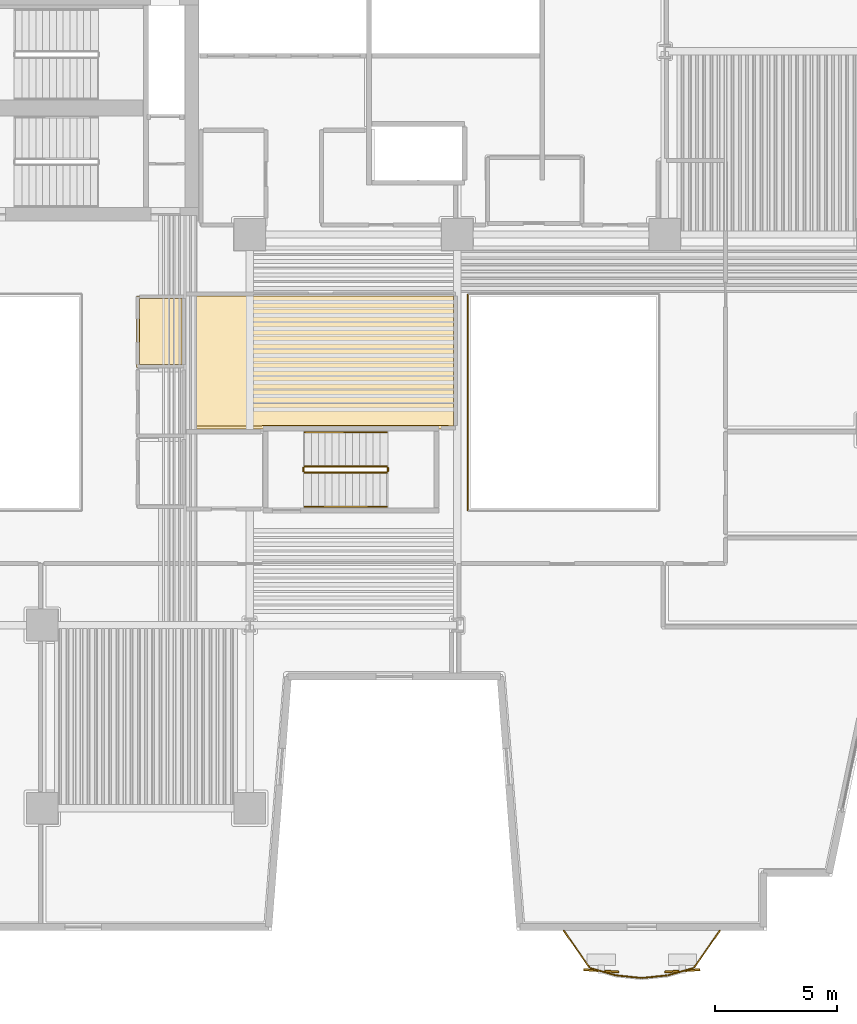
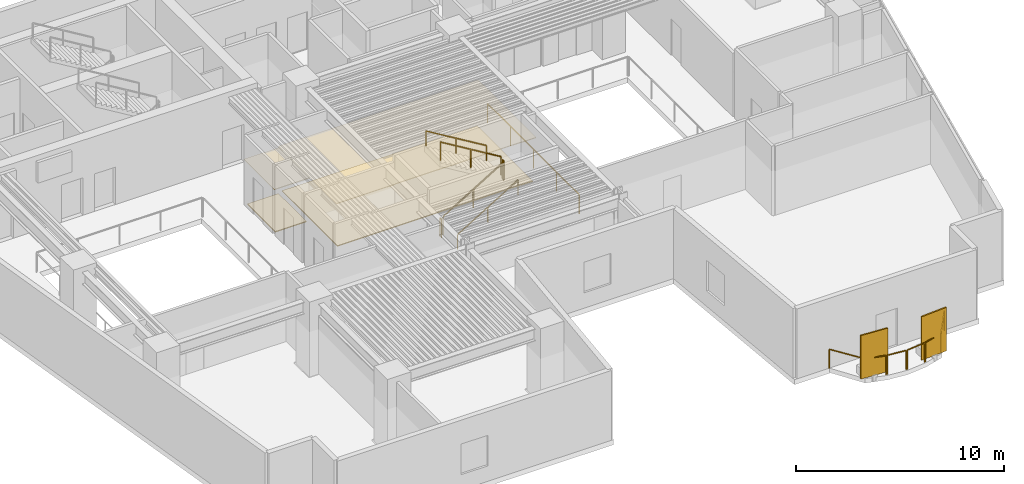
# One storey, part 9 of 12: 13 railings, 4 coverings, 2 shading devices.
"""IFC4 building model written with IfcOpenShell, lengths in metres."""

from ifc_helpers import new_model, si_unit, direction, frame, origin, origin_2d, place, context, subcontext, project, spatial, polyline, rectangle, outline, extrude, material, layer, layer_set, type_object, element, save


model = new_model("IFC4")

# Units and contexts
model_context = context("Model", 3, precision=1e-05, world=origin(), true_north=direction((0.0, 1.0)))
body_context = subcontext(model_context, "Body", "Model", "MODEL_VIEW")
ifc_project = project(units=[si_unit("LENGTHUNIT", "METRE"), si_unit("AREAUNIT", "SQUARE_METRE"), si_unit("VOLUMEUNIT", "CUBIC_METRE"), si_unit("PLANEANGLEUNIT", "RADIAN"), si_unit("MASSUNIT", "GRAM", prefix="KILO")], contexts=[model_context])

# Site, building, storey
site_placement = place(None, origin())
site = spatial("IfcSite", under=ifc_project, at=site_placement, CompositionType="ELEMENT")
building_placement = place(site_placement, origin())
building = spatial("IfcBuilding", under=site, at=building_placement, Name="Caeloran Harvest Quay", CompositionType="ELEMENT")
storey_placement = place(building_placement, frame((0.0, 0.0, 35.800048828125)))
storey = spatial("IfcBuildingStorey", under=building, at=storey_placement, Name="L08", CompositionType="ELEMENT", Elevation=35.800048828125)

# Coverings
ifc_material_1 = material(Name="Perforated Mineral-Fibre Acoustic Ceiling Tile", Category="ceiling")
ifc_layer_1 = layer(ifc_material_1, 0.0400390625, Name="Perforated Mineral-Fibre Acoustic Ceiling Tile")
ifc_layer_set_1 = layer_set([ifc_layer_1], Name="Perforated Mineral-Fibre Acoustic Ceiling Tile")
covering_type_1 = type_object("IfcCoveringType", Name="COV-CEILING-ACOUSTIC", PredefinedType="CEILING", material=ifc_layer_set_1)
covering_1_placement = place(storey_placement, frame((0.0, 0.0, 2.599853515625)))
element("IfcCovering", 1, at=covering_1_placement, inside=storey, type_object=covering_type_1, Name="L08 Male Washroom WC Acoustic Ceiling", PredefinedType="CEILING", context=body_context, shape_type="SweptSolid", body=[
    extrude(outline(polyline([(22.840087890625, 25.56005859375), (20.8701171875, 25.56005859375), (20.8701171875, 28.489990234375), (22.840087890625, 28.489990234375), (22.840087890625, 25.56005859375)])), origin(), (0.0, 0.0, 1.0), 0.0400390625),
])
covering_2_placement = place(storey_placement, frame((0.0, 0.0, 2.599853515625)))
element("IfcCovering", 2, at=covering_2_placement, inside=storey, type_object=covering_type_1, Name="Staff Tea Lounge Acoustic Ceiling", PredefinedType="CEILING", context=body_context, shape_type="SweptSolid", body=[
    extrude(outline(polyline([(22.8701171875, 28.512939453125), (22.85009765625, 28.52001953125), (22.85009765625, 28.610107421875), (33.9599609375, 28.610107421875), (33.9599609375, 23.0400390625), (33.170166015625, 23.0400390625), (33.162841796875, 23.06005859375), (26.13720703125, 23.06005859375), (26.1298828125, 23.0400390625), (22.8701171875, 23.0400390625), (22.8701171875, 28.512939453125)])), origin(), (0.0, 0.0, 1.0), 0.0400390625),
])
ifc_material_2 = material(Name="Calcium-Sulphate Raised Access Floor and Terrazzo Finish", Category="flooring")
ifc_layer_2 = layer(ifc_material_2, 0.050048828125, Name="Calcium-Sulphate Raised Access Floor and Terrazzo Finish")
ifc_layer_set_2 = layer_set([ifc_layer_2], Name="Calcium-Sulphate Raised Access Floor and Terrazzo Finish")
covering_type_2 = type_object("IfcCoveringType", Name="COV-FLOOR-RAISED", PredefinedType="FLOORING", material=ifc_layer_set_2)
covering_3_placement = place(storey_placement, origin())
element("IfcCovering", 3, at=covering_3_placement, inside=storey, type_object=covering_type_2, Name="L08 Male Washroom WC Raised Finish Flooring", PredefinedType="FLOORING", context=body_context, shape_type="SweptSolid", body=[
    extrude(outline(polyline([(22.719970703125, 25.679931640625), (20.989990234375, 25.679931640625), (20.989990234375, 28.3701171875), (22.719970703125, 28.3701171875), (22.719970703125, 25.679931640625)])), origin(), (0.0, 0.0, 1.0), 0.050048828125),
])
covering_4_placement = place(storey_placement, origin())
element("IfcCovering", 4, at=covering_4_placement, inside=storey, type_object=covering_type_2, Name="Staff Tea Lounge Raised Finish Flooring", PredefinedType="FLOORING", context=body_context, shape_type="SweptSolid", body=[
    extrude(outline(polyline([(22.989990234375, 28.489990234375), (33.840087890625, 28.489990234375), (33.840087890625, 23.159912109375), (33.169921875, 23.179931640625), (22.989990234375, 23.159912109375), (22.989990234375, 28.489990234375)])), origin(), (0.0, 0.0, 1.0), 0.050048828125),
])

# Railings
ifc_material_3 = material(Name="Powder-Coated Steel Post and Laminated Glass Guardrail", Category="steel")
ifc_layer_3 = layer(ifc_material_3, 0.06005859375, Name="Powder-Coated Steel Post and Laminated Glass Guardrail")
ifc_layer_set_3 = layer_set([ifc_layer_3], Name="Powder-Coated Steel Post and Laminated Glass Guardrail")
railing_type_1 = type_object("IfcRailingType", Name="GUARD-ATRIUM-1150", PredefinedType="GUARDRAIL", material=ifc_layer_set_3)
railing_1_placement = place(storey_placement, frame((34.429931640625, 28.5380859375, 0.0)))
element("IfcRailing", 5, at=railing_1_placement, inside=storey, type_object=railing_type_1, Name="L08 East Botanical Lightwell Guardrail Seg 4", PredefinedType="GUARDRAIL", context=body_context, shape_type="SweptSolid", body=[
    extrude(rectangle(XDim=0.048095703125, YDim=0.048095703125, at=origin_2d()), frame((0.0, 0.0, 1.1259765625), z_axis=(0.0, -1.0, 0.0), x_axis=(1.0, 0.0, 0.0)), (0.0, 0.0, 1.0), 8.826171875),
    extrude(rectangle(XDim=0.0419921875, YDim=0.0419921875, at=origin_2d()), origin(), (0.0, 0.0, 1.0), 1.101806640625),
    extrude(rectangle(XDim=0.0419921875, YDim=0.0419921875, at=origin_2d()), frame((0.0, -2.20654296875, 0.0)), (0.0, 0.0, 1.0), 1.101806640625),
    extrude(rectangle(XDim=0.0419921875, YDim=0.0419921875, at=origin_2d()), frame((0.0, -4.4130859375, 0.0)), (0.0, 0.0, 1.0), 1.101806640625),
    extrude(rectangle(XDim=0.0419921875, YDim=0.0419921875, at=origin_2d()), frame((0.0, -6.61962890625, 0.0)), (0.0, 0.0, 1.0), 1.101806640625),
    extrude(rectangle(XDim=0.0419921875, YDim=0.0419921875, at=origin_2d()), frame((0.0, -8.826171875, 0.0)), (0.0, 0.0, 1.0), 1.101806640625),
])
ifc_material_4 = material(Name="Laminated Safety Glass and Stainless Steel 316", Category="steel")
ifc_layer_4 = layer(ifc_material_4, 0.06005859375, Name="Laminated Safety Glass and Stainless Steel 316")
ifc_layer_set_4 = layer_set([ifc_layer_4], Name="Laminated Safety Glass and Stainless Steel 316")
railing_type_2 = type_object("IfcRailingType", Name="GUARD-BALUSTRADE-1150", PredefinedType="BALUSTRADE", material=ifc_layer_set_4)
railing_2_placement = place(storey_placement, frame((44.7509765625, 2.47998046875, 0.0)))
element("IfcRailing", 6, at=railing_2_placement, inside=storey, type_object=railing_type_2, Name="L08 Planted Balcony Perimeter Balustrade Guard Seg 1", PredefinedType="BALUSTRADE", context=body_context, shape_type="SweptSolid", body=[
    extrude(rectangle(XDim=0.048095703125, YDim=0.048095703125, at=origin_2d()), frame((0.0, 0.0, 1.1259765625), z_axis=(-0.572708438792, -0.819759137879, 0.0), x_axis=(0.819759137879, -0.572708438792, 0.0)), (0.0, 0.0, 1.0), 1.826171875),
    extrude(rectangle(XDim=0.0419921875, YDim=0.0419921875, at=origin_2d()), origin(), (0.0, 0.0, 1.0), 1.101806640625),
    extrude(rectangle(XDim=0.0419921875, YDim=0.0419921875, at=origin_2d()), frame((-1.0458984375, -1.4970703125, 0.0)), (0.0, 0.0, 1.0), 1.101806640625),
])
railing_3_placement = place(storey_placement, frame((43.656005859375, 0.94775390625, 0.0)))
element("IfcRailing", 7, at=railing_3_placement, inside=storey, type_object=railing_type_2, Name="L08 Planted Balcony Perimeter Balustrade Guard Seg 2", PredefinedType="BALUSTRADE", context=body_context, shape_type="SweptSolid", body=[
    extrude(rectangle(XDim=0.048095703125, YDim=0.048095703125, at=origin_2d()), frame((0.0, 0.0, 1.1259765625), z_axis=(-0.961903159645, -0.273390401195, 0.0), x_axis=(0.273390401195, -0.961903159645, 0.0)), (0.0, 0.0, 1.0), 1.042236328125),
    extrude(rectangle(XDim=0.0419921875, YDim=0.0419921875, at=origin_2d()), origin(), (0.0, 0.0, 1.0), 1.101806640625),
    extrude(rectangle(XDim=0.0419921875, YDim=0.0419921875, at=origin_2d()), frame((-1.00244140625, -0.284912109375, 0.0)), (0.0, 0.0, 1.0), 1.101806640625),
])
railing_4_placement = place(storey_placement, frame((42.5908203125, 0.650634765625, 0.0)))
element("IfcRailing", 8, at=railing_4_placement, inside=storey, type_object=railing_type_2, Name="L08 Planted Balcony Perimeter Balustrade Guard Seg 3", PredefinedType="BALUSTRADE", context=body_context, shape_type="SweptSolid", body=[
    extrude(rectangle(XDim=0.048095703125, YDim=0.048095703125, at=origin_2d()), frame((0.0, 0.0, 1.1259765625), z_axis=(-0.994615282107, -0.103636096989, 0.0), x_axis=(0.103636096989, -0.994615282107, 0.0)), (0.0, 0.0, 1.0), 1.005859375),
    extrude(rectangle(XDim=0.0419921875, YDim=0.0419921875, at=origin_2d()), origin(), (0.0, 0.0, 1.0), 1.101806640625),
    extrude(rectangle(XDim=0.0419921875, YDim=0.0419921875, at=origin_2d()), frame((-1.00048828125, -0.104248046875, 0.0)), (0.0, 0.0, 1.0), 1.101806640625),
])
railing_5_placement = place(storey_placement, frame((41.526611328125, 0.54638671875, 0.0)))
element("IfcRailing", 9, at=railing_5_placement, inside=storey, type_object=railing_type_2, Name="L08 Planted Balcony Perimeter Balustrade Guard Seg 4", PredefinedType="BALUSTRADE", context=body_context, shape_type="SweptSolid", body=[
    extrude(rectangle(XDim=0.048095703125, YDim=0.048095703125, at=origin_2d()), frame((0.0, 0.0, 1.1259765625), z_axis=(-0.994615282107, 0.103636096989, 0.0), x_axis=(-0.103636096989, -0.994615282107, 0.0)), (0.0, 0.0, 1.0), 1.005859375),
    extrude(rectangle(XDim=0.0419921875, YDim=0.0419921875, at=origin_2d()), origin(), (0.0, 0.0, 1.0), 1.101806640625),
    extrude(rectangle(XDim=0.0419921875, YDim=0.0419921875, at=origin_2d()), frame((-1.00048828125, 0.104248046875, 0.0)), (0.0, 0.0, 1.0), 1.101806640625),
])
railing_6_placement = place(storey_placement, frame((40.46337890625, 0.662841796875, 0.0)))
element("IfcRailing", 10, at=railing_6_placement, inside=storey, type_object=railing_type_2, Name="L08 Planted Balcony Perimeter Balustrade Guard Seg 5", PredefinedType="BALUSTRADE", context=body_context, shape_type="SweptSolid", body=[
    extrude(rectangle(XDim=0.048095703125, YDim=0.048095703125, at=origin_2d()), frame((0.0, 0.0, 1.1259765625), z_axis=(-0.961903159645, 0.273390401195, 0.0), x_axis=(-0.273390401195, -0.961903159645, 0.0)), (0.0, 0.0, 1.0), 1.042236328125),
    extrude(rectangle(XDim=0.0419921875, YDim=0.0419921875, at=origin_2d()), origin(), (0.0, 0.0, 1.0), 1.101806640625),
    extrude(rectangle(XDim=0.0419921875, YDim=0.0419921875, at=origin_2d()), frame((-1.00244140625, 0.284912109375, 0.0)), (0.0, 0.0, 1.0), 1.101806640625),
])
railing_7_placement = place(storey_placement, frame((39.411865234375, 0.98291015625, 0.0)))
element("IfcRailing", 11, at=railing_7_placement, inside=storey, type_object=railing_type_2, Name="L08 Planted Balcony Perimeter Balustrade Guard Seg 6", PredefinedType="BALUSTRADE", context=body_context, shape_type="SweptSolid", body=[
    extrude(rectangle(XDim=0.048095703125, YDim=0.048095703125, at=origin_2d()), frame((0.0, 0.0, 1.1259765625), z_axis=(-0.572708438792, 0.819759137879, 0.0), x_axis=(-0.819759137879, -0.572708438792, 0.0)), (0.0, 0.0, 1.0), 1.826171875),
    extrude(rectangle(XDim=0.0419921875, YDim=0.0419921875, at=origin_2d()), origin(), (0.0, 0.0, 1.0), 1.101806640625),
    extrude(rectangle(XDim=0.0419921875, YDim=0.0419921875, at=origin_2d()), frame((-1.0458984375, 1.4970703125, 0.0)), (0.0, 0.0, 1.0), 1.101806640625),
])

# Shading devices
ifc_material_5 = material(Name="3003-H14 Perforated Powder-Coated Aluminium", Category="aluminium")
shading_device_type = type_object("IfcShadingDeviceType", Name="SHADE-SCREEN-FOLDED", PredefinedType="USERDEFINED", material=ifc_material_5)
for number, where, z_axis, x_axis, name in (
    (12, (43.218505859375, 0.838623046875, 0.07470703125), (0.0, 0.0, 1.0), (0.997801468292, 0.0662739004, 0.0), "L08 Folded Facade Breathing Screen 1"),
    (13, (39.8984375, 0.838623046875, 0.07470703125), (0.0, 0.0, 1.0), (0.997801468292, -0.0662739004, 0.0), "L08 Folded Facade Breathing Screen 2"),
):
    element("IfcShadingDevice", number, at=place(storey_placement, frame(where, z_axis=z_axis, x_axis=x_axis)), inside=storey, type_object=shading_device_type, Name=name, ObjectType="SCREEN", PredefinedType="USERDEFINED", context=body_context, shape_type="SweptSolid", body=[
        extrude(rectangle(XDim=1.449951171875, YDim=0.080078125, at=origin_2d()), origin(), (0.0, 0.0, 1.0), 2.550048828125),
    ])

# Railings
ifc_material_6 = material(Name="Painted Steel Baluster and Top-Rail Stair Guard", Category="steel")
ifc_layer_5 = layer(ifc_material_6, 0.050048828125, Name="Painted Steel Baluster and Top-Rail Stair Guard")
ifc_layer_set_5 = layer_set([ifc_layer_5], Name="Painted Steel Baluster and Top-Rail Stair Guard")
railing_type_3 = type_object("IfcRailingType", Name="STAIR-GUARD-1100", PredefinedType="GUARDRAIL", material=ifc_layer_set_5)
railing_8_placement = place(storey_placement, frame((27.75, 21.25, 0.169189453125)))
element("IfcRailing", 14, at=railing_8_placement, inside=storey, type_object=railing_type_3, Name="L08 ST-W1 stair guard 1", PredefinedType="GUARDRAIL", context=body_context, shape_type="SweptSolid", body=[
    extrude(rectangle(XDim=0.048095703125, YDim=0.048095703125, at=origin_2d()), frame((0.0, 0.0, 1.076171875), z_axis=(0.855836976705, 0.0, 0.517245656632), x_axis=(0.0, 1.0, 0.0)), (0.0, 0.0, 1.0), 3.926025390625),
    extrude(rectangle(XDim=0.0419921875, YDim=0.0419921875, at=origin_2d()), origin(), (0.0, 0.0, 1.0), 1.052001953125),
    extrude(rectangle(XDim=0.0419921875, YDim=0.0419921875, at=origin_2d()), frame((1.68017578125, 0.0, 1.015380859375)), (0.0, 0.0, 1.0), 1.052001953125),
    extrude(rectangle(XDim=0.0419921875, YDim=0.0419921875, at=origin_2d()), frame((3.360107421875, 0.0, 2.03076171875)), (0.0, 0.0, 1.0), 1.052001953125),
])
railing_9_placement = place(storey_placement, frame((31.159912109375, 21.300048828125, 2.199951171875)))
element("IfcRailing", 15, at=railing_9_placement, inside=storey, type_object=railing_type_3, Name="L08 ST-W1 stair guard 2", PredefinedType="GUARDRAIL", context=body_context, shape_type="SweptSolid", body=[
    extrude(rectangle(XDim=0.048095703125, YDim=0.048095703125, at=origin_2d()), frame((0.0, 0.0, 1.076171875), z_axis=(0.0, 1.0, 0.0), x_axis=(-1.0, 0.0, 0.0)), (0.0, 0.0, 1.0), 0.14990234375),
    extrude(rectangle(XDim=0.0419921875, YDim=0.0419921875, at=origin_2d()), origin(), (0.0, 0.0, 1.0), 1.052001953125),
    extrude(rectangle(XDim=0.0419921875, YDim=0.0419921875, at=origin_2d()), frame((0.0, 0.14990234375, 0.0)), (0.0, 0.0, 1.0), 1.052001953125),
])
railing_10_placement = place(storey_placement, frame((31.110107421875, 21.5, 2.369140625)))
element("IfcRailing", 16, at=railing_10_placement, inside=storey, type_object=railing_type_3, Name="L08 ST-W1 stair guard 3", PredefinedType="GUARDRAIL", context=body_context, shape_type="SweptSolid", body=[
    extrude(rectangle(XDim=0.048095703125, YDim=0.048095703125, at=origin_2d()), frame((0.0, 0.0, 1.076171875), z_axis=(-0.855836976705, 0.0, 0.517245656632), x_axis=(0.0, -1.0, 0.0)), (0.0, 0.0, 1.0), 3.926025390625),
    extrude(rectangle(XDim=0.0419921875, YDim=0.0419921875, at=origin_2d()), origin(), (0.0, 0.0, 1.0), 1.052001953125),
    extrude(rectangle(XDim=0.0419921875, YDim=0.0419921875, at=origin_2d()), frame((-1.68017578125, 0.0, 1.015380859375)), (0.0, 0.0, 1.0), 1.052001953125),
    extrude(rectangle(XDim=0.0419921875, YDim=0.0419921875, at=origin_2d()), frame((-3.360107421875, 0.0, 2.03076171875)), (0.0, 0.0, 1.0), 1.052001953125),
])
railing_11_placement = place(storey_placement, frame((27.699951171875, 21.300048828125, 0.0)))
element("IfcRailing", 17, at=railing_11_placement, inside=storey, type_object=railing_type_3, Name="L08 ST-W1 stair guard 4", PredefinedType="GUARDRAIL", context=body_context, shape_type="SweptSolid", body=[
    extrude(rectangle(XDim=0.048095703125, YDim=0.048095703125, at=origin_2d()), frame((0.0, 0.0, 1.076171875), z_axis=(0.0, 1.0, 0.0), x_axis=(-1.0, 0.0, 0.0)), (0.0, 0.0, 1.0), 0.14990234375),
    extrude(rectangle(XDim=0.0419921875, YDim=0.0419921875, at=origin_2d()), origin(), (0.0, 0.0, 1.0), 1.052001953125),
    extrude(rectangle(XDim=0.0419921875, YDim=0.0419921875, at=origin_2d()), frame((0.0, 0.14990234375, 0.0)), (0.0, 0.0, 1.0), 1.052001953125),
])
ifc_material_7 = material(Name="Brushed Stainless Steel Grade 304", Category="steel")
ifc_layer_6 = layer(ifc_material_7, 0.050048828125, Name="Brushed Stainless Steel Grade 304")
ifc_layer_set_6 = layer_set([ifc_layer_6], Name="Brushed Stainless Steel Grade 304")
railing_type_4 = type_object("IfcRailingType", Name="STAIR-HANDRAIL-900", PredefinedType="HANDRAIL", material=ifc_layer_set_6)
railing_12_placement = place(storey_placement, frame((27.75, 19.85009765625, 0.169189453125)))
element("IfcRailing", 18, at=railing_12_placement, inside=storey, type_object=railing_type_4, Name="L08 ST-W1 stair handrail 1", PredefinedType="HANDRAIL", context=body_context, shape_type="SweptSolid", body=[
    extrude(rectangle(XDim=0.048095703125, YDim=0.048095703125, at=origin_2d()), frame((0.0, 0.0, 0.8759765625), z_axis=(0.855836976705, 0.0, 0.517245656632), x_axis=(0.0, 1.0, 0.0)), (0.0, 0.0, 1.0), 3.926025390625),
    extrude(rectangle(XDim=0.0419921875, YDim=0.0419921875, at=origin_2d()), origin(), (0.0, 0.0, 1.0), 0.851806640625),
    extrude(rectangle(XDim=0.0419921875, YDim=0.0419921875, at=origin_2d()), frame((1.68017578125, 0.0, 1.015380859375)), (0.0, 0.0, 1.0), 0.851806640625),
    extrude(rectangle(XDim=0.0419921875, YDim=0.0419921875, at=origin_2d()), frame((3.360107421875, 0.0, 2.03076171875)), (0.0, 0.0, 1.0), 0.851806640625),
])
railing_13_placement = place(storey_placement, frame((31.110107421875, 22.89990234375, 2.369140625)))
element("IfcRailing", 19, at=railing_13_placement, inside=storey, type_object=railing_type_4, Name="L08 ST-W1 stair handrail 2", PredefinedType="HANDRAIL", context=body_context, shape_type="SweptSolid", body=[
    extrude(rectangle(XDim=0.048095703125, YDim=0.048095703125, at=origin_2d()), frame((0.0, 0.0, 0.8759765625), z_axis=(-0.855836976705, 0.0, 0.517245656632), x_axis=(0.0, -1.0, 0.0)), (0.0, 0.0, 1.0), 3.926025390625),
    extrude(rectangle(XDim=0.0419921875, YDim=0.0419921875, at=origin_2d()), origin(), (0.0, 0.0, 1.0), 0.851806640625),
    extrude(rectangle(XDim=0.0419921875, YDim=0.0419921875, at=origin_2d()), frame((-1.68017578125, 0.0, 1.015380859375)), (0.0, 0.0, 1.0), 0.851806640625),
    extrude(rectangle(XDim=0.0419921875, YDim=0.0419921875, at=origin_2d()), frame((-3.360107421875, 0.0, 2.03076171875)), (0.0, 0.0, 1.0), 0.851806640625),
])

save(model, "model.ifc")
